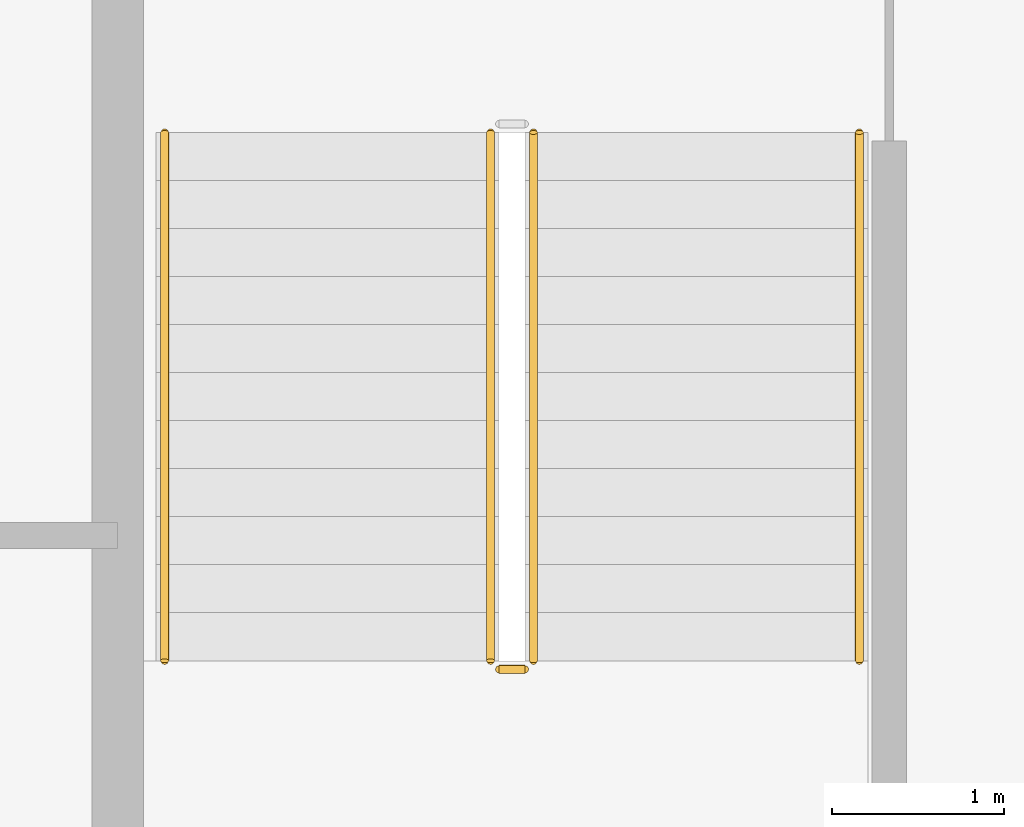
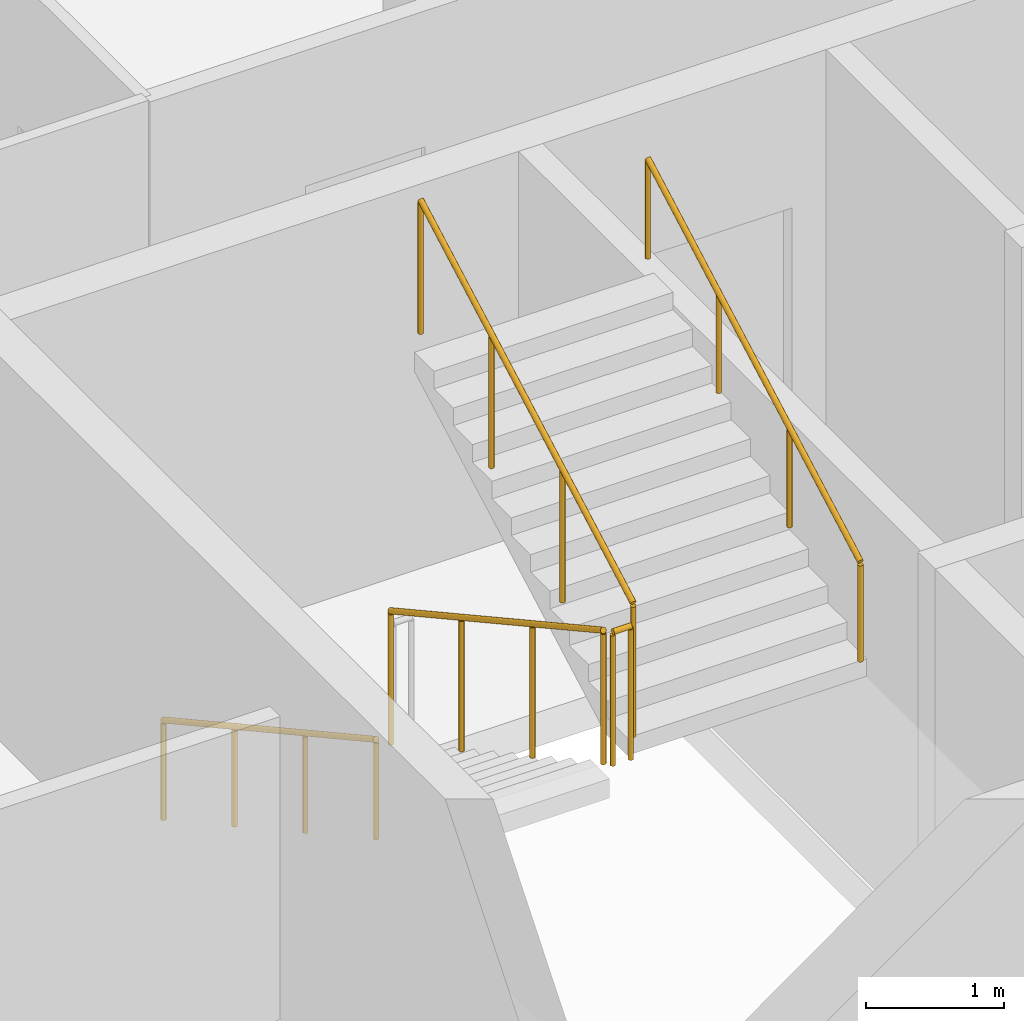
# One storey, part 9 of 11: 5 railings.
"""IFC4 building model written with IfcOpenShell, lengths in metres."""

from ifc_helpers import new_model, si_unit, direction, frame, origin, origin_2d, place, context, subcontext, project, spatial, circle, extrude, material, type_object, element, save


model = new_model("IFC4")

# Units and contexts
model_context = context("Model", 3, precision=1e-05, world=origin(), true_north=direction((0.0, 1.0)))
body_context = subcontext(model_context, "Body", "Model", "MODEL_VIEW")
ifc_project = project(units=[si_unit("LENGTHUNIT", "METRE"), si_unit("AREAUNIT", "SQUARE_METRE"), si_unit("VOLUMEUNIT", "CUBIC_METRE"), si_unit("PLANEANGLEUNIT", "RADIAN"), si_unit("MASSUNIT", "GRAM", prefix="KILO")], contexts=[model_context])

# Site, building, storey
site_placement = place(None, origin())
site = spatial("IfcSite", under=ifc_project, at=site_placement, CompositionType="ELEMENT")
building_placement = place(site_placement, origin())
building = spatial("IfcBuilding", under=site, at=building_placement, Name="Caravel Reach Hotel and Residences", CompositionType="ELEMENT")
storey_placement = place(building_placement, frame((0.0, 0.0, 260.10009765625)))
storey = spatial("IfcBuildingStorey", under=building, at=storey_placement, Name="L66", CompositionType="ELEMENT", Elevation=260.10009765625)

# Railings
ifc_material_1 = material(Name="Steel balustrade with glass infill", Category="steel")
railing_type_1 = type_object("IfcRailingType", Name="Guard 1200", PredefinedType="GUARDRAIL", material=ifc_material_1)
railing_1_placement = place(storey_placement, frame((20.175048828125, 29.35009765625, 0.154052734375)))
element("IfcRailing", 1, at=railing_1_placement, inside=storey, type_object=railing_type_1, Name="L66 ST-A stair guard 1", PredefinedType="GUARDRAIL", context=body_context, shape_type="SweptSolid", body=[
    extrude(circle(Radius=0.02392578125, at=origin_2d()), frame((0.0, 0.0, 1.17578125), z_axis=(0.0, -0.876004717809, 0.482302534076), x_axis=(1.0, 0.0, 0.0)), (0.0, 0.0, 1.0), 3.51611328125),
    extrude(circle(Radius=0.02099609375, at=origin_2d()), origin(), (0.0, 0.0, 1.0), 1.15185546875),
    extrude(circle(Radius=0.02099609375, at=origin_2d()), frame((0.0, -1.026611328125, 0.565185546875)), (0.0, 0.0, 1.0), 1.15185546875),
    extrude(circle(Radius=0.02099609375, at=origin_2d()), frame((0.0, -2.053466796875, 1.130615234375)), (0.0, 0.0, 1.0), 1.15185546875),
    extrude(circle(Radius=0.02099609375, at=origin_2d()), frame((0.0, -3.080078125, 1.69580078125)), (0.0, 0.0, 1.0), 1.15185546875),
])
railing_2_placement = place(storey_placement, frame((20.22509765625, 26.219970703125, 1.849853515625)))
element("IfcRailing", 2, at=railing_2_placement, inside=storey, type_object=railing_type_1, Name="L66 ST-A stair guard 2", PredefinedType="GUARDRAIL", context=body_context, shape_type="SweptSolid", body=[
    extrude(circle(Radius=0.02392578125, at=origin_2d()), frame((0.0, 0.0, 1.17578125), z_axis=(1.0, 0.0, 0.0), x_axis=(0.0, 1.0, 0.0)), (0.0, 0.0, 1.0), 0.14990234375),
    extrude(circle(Radius=0.02099609375, at=origin_2d()), origin(), (0.0, 0.0, 1.0), 1.15185546875),
    extrude(circle(Radius=0.02099609375, at=origin_2d()), frame((0.14990234375, 0.0, 0.0)), (0.0, 0.0, 1.0), 1.15185546875),
])
railing_3_placement = place(storey_placement, frame((20.425048828125, 26.27001953125, 2.004150390625)))
element("IfcRailing", 3, at=railing_3_placement, inside=storey, type_object=railing_type_1, Name="L66 ST-A stair guard 3", PredefinedType="GUARDRAIL", context=body_context, shape_type="SweptSolid", body=[
    extrude(circle(Radius=0.02392578125, at=origin_2d()), frame((0.0, 0.0, 1.17578125), z_axis=(0.0, 0.876004717809, 0.482302534076), x_axis=(-1.0, 0.0, 0.0)), (0.0, 0.0, 1.0), 3.51611328125),
    extrude(circle(Radius=0.02099609375, at=origin_2d()), origin(), (0.0, 0.0, 1.0), 1.15185546875),
    extrude(circle(Radius=0.02099609375, at=origin_2d()), frame((0.0, 1.026611328125, 0.565185546875)), (0.0, 0.0, 1.0), 1.15185546875),
    extrude(circle(Radius=0.02099609375, at=origin_2d()), frame((0.0, 2.053466796875, 1.130615234375)), (0.0, 0.0, 1.0), 1.15185546875),
    extrude(circle(Radius=0.02099609375, at=origin_2d()), frame((0.0, 3.080078125, 1.69580078125)), (0.0, 0.0, 1.0), 1.15185546875),
])
ifc_material_2 = material(Name="Stainless steel handrail", Category="steel")
railing_type_2 = type_object("IfcRailingType", Name="Handrail 900", PredefinedType="HANDRAIL", material=ifc_material_2)
railing_4_placement = place(storey_placement, frame((18.27490234375, 29.35009765625, 0.154052734375)))
element("IfcRailing", 4, at=railing_4_placement, inside=storey, type_object=railing_type_2, Name="L66 ST-A stair handrail 1", PredefinedType="HANDRAIL", context=body_context, shape_type="SweptSolid", body=[
    extrude(circle(Radius=0.02392578125, at=origin_2d()), frame((0.0, 0.0, 0.8759765625), z_axis=(0.0, -0.876004717809, 0.482302534076), x_axis=(1.0, 0.0, 0.0)), (0.0, 0.0, 1.0), 3.51611328125),
    extrude(circle(Radius=0.02099609375, at=origin_2d()), origin(), (0.0, 0.0, 1.0), 0.851806640625),
    extrude(circle(Radius=0.02099609375, at=origin_2d()), frame((0.0, -1.026611328125, 0.565185546875)), (0.0, 0.0, 1.0), 0.851806640625),
    extrude(circle(Radius=0.02099609375, at=origin_2d()), frame((0.0, -2.053466796875, 1.130615234375)), (0.0, 0.0, 1.0), 0.851806640625),
    extrude(circle(Radius=0.02099609375, at=origin_2d()), frame((0.0, -3.080078125, 1.69580078125)), (0.0, 0.0, 1.0), 0.851806640625),
])
railing_5_placement = place(storey_placement, frame((22.324951171875, 26.27001953125, 2.004150390625)))
element("IfcRailing", 5, at=railing_5_placement, inside=storey, type_object=railing_type_2, Name="L66 ST-A stair handrail 2", PredefinedType="HANDRAIL", context=body_context, shape_type="SweptSolid", body=[
    extrude(circle(Radius=0.02392578125, at=origin_2d()), frame((0.0, 0.0, 0.8759765625), z_axis=(0.0, 0.876004717809, 0.482302534076), x_axis=(-1.0, 0.0, 0.0)), (0.0, 0.0, 1.0), 3.51611328125),
    extrude(circle(Radius=0.02099609375, at=origin_2d()), origin(), (0.0, 0.0, 1.0), 0.851806640625),
    extrude(circle(Radius=0.02099609375, at=origin_2d()), frame((0.0, 1.026611328125, 0.565185546875)), (0.0, 0.0, 1.0), 0.851806640625),
    extrude(circle(Radius=0.02099609375, at=origin_2d()), frame((0.0, 2.053466796875, 1.130615234375)), (0.0, 0.0, 1.0), 0.851806640625),
    extrude(circle(Radius=0.02099609375, at=origin_2d()), frame((0.0, 3.080078125, 1.69580078125)), (0.0, 0.0, 1.0), 0.851806640625),
])

save(model, "model.ifc")
